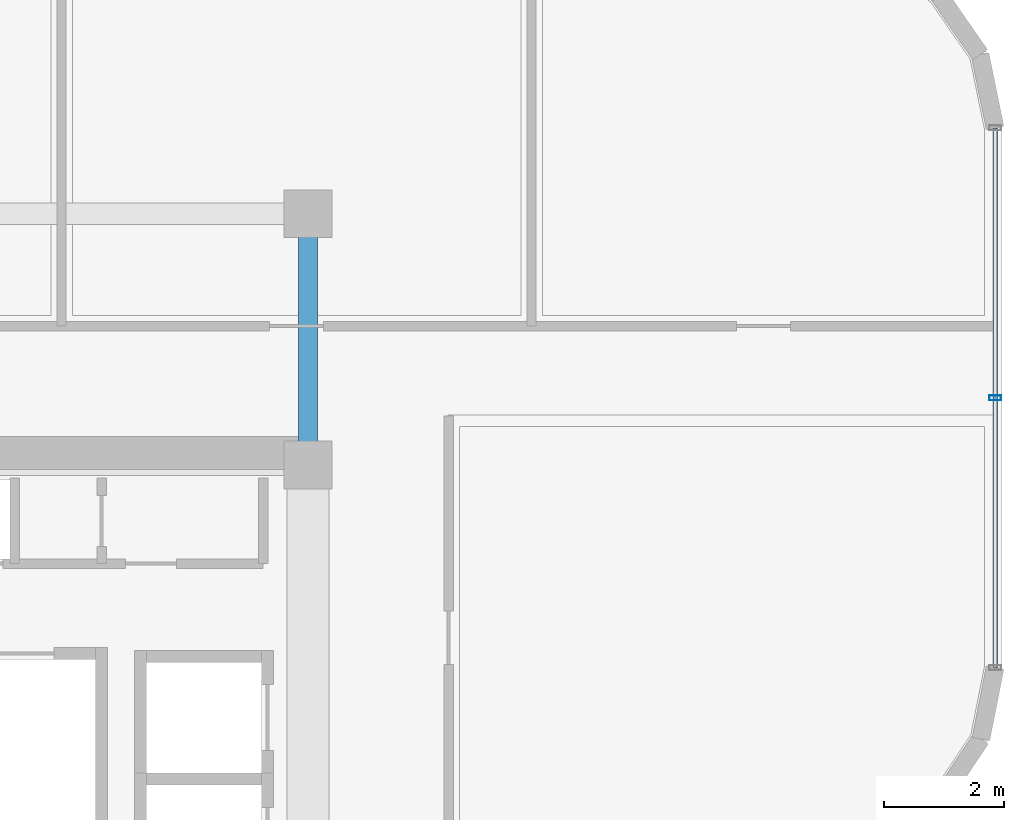
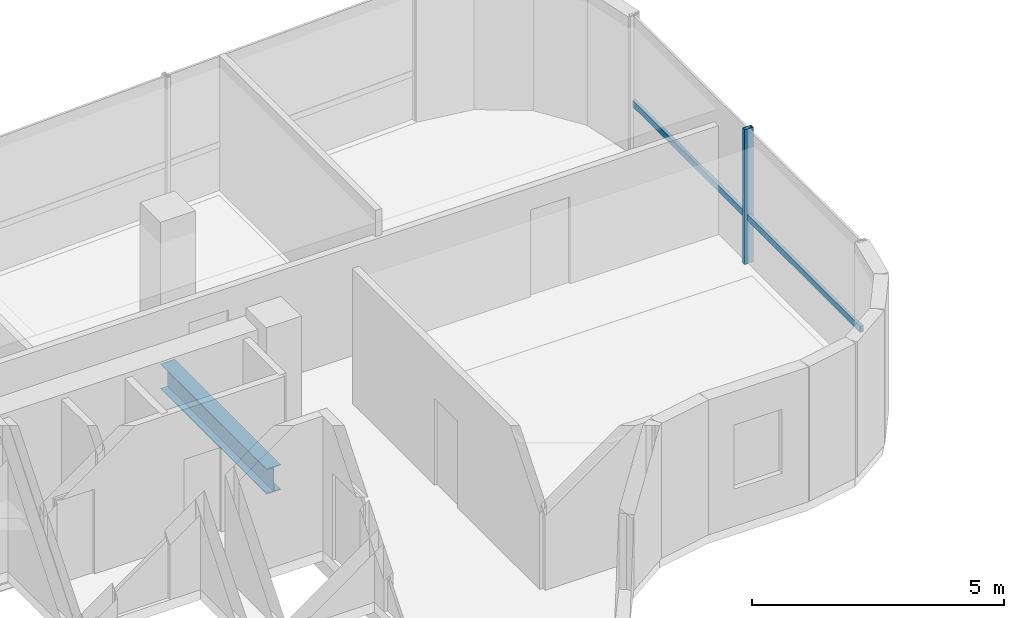
# One storey, part 11 of 21: 2 members, 1 beam, 1 element without a shape of its own.
"""IFC4 building model written with IfcOpenShell, lengths in metres."""

from ifc_helpers import new_model, si_unit, direction, frame, origin, origin_2d, place, context, subcontext, project, spatial, hollow_rectangle, i_section, extrude, source, transform, mapped, material, material_profile, profile_set, type_object, element, aggregate, save


model = new_model("IFC4")

# Units and contexts
model_context = context("Model", 3, precision=1e-05, world=origin(), true_north=direction((0.0, 1.0)))
body_context = subcontext(model_context, "Body", "Model", "MODEL_VIEW")
ifc_project = project(units=[si_unit("LENGTHUNIT", "METRE"), si_unit("AREAUNIT", "SQUARE_METRE"), si_unit("VOLUMEUNIT", "CUBIC_METRE"), si_unit("PLANEANGLEUNIT", "RADIAN"), si_unit("MASSUNIT", "GRAM", prefix="KILO")], contexts=[model_context])

# Site, building, storey
site_placement = place(None, origin())
site = spatial("IfcSite", under=ifc_project, at=site_placement, CompositionType="ELEMENT")
building_placement = place(site_placement, origin())
building = spatial("IfcBuilding", under=site, at=building_placement, Name="Valdorenza Pilgrim Sanctuary Tower", CompositionType="ELEMENT")
storey_placement = place(building_placement, frame((0.0, 0.0, 254.5)))
storey = spatial("IfcBuildingStorey", under=building, at=storey_placement, Name="L66", CompositionType="ELEMENT", Elevation=254.5)

# Beam
ifc_material_1 = material(Name="Steel ASTM A992 Grade 50", Category="steel")
ifc_material_profile_1 = material_profile(ifc_material_1, i_section(OverallWidth=0.323974609375, OverallDepth=0.611083984375, WebThickness=0.0126953125, FlangeThickness=0.01904296875, at=origin_2d()), Name="W24X104")
ifc_profile_set_1 = profile_set([ifc_material_profile_1], Name="Steel ASTM A992 Grade 50")
beam_type = type_object("IfcBeamType", Name="STR-BM-GRD-W24B", PredefinedType="BEAM", material=ifc_profile_set_1)
shared_shape_1 = source(origin(), body_context, "Body", "SweptSolid", [
    extrude(i_section(OverallWidth=0.323974609375, OverallDepth=0.611083984375, WebThickness=0.0126953125, FlangeThickness=0.01904296875, at=origin_2d()), origin(), (0.0, 0.0, 1.0), 4.199951171875),
])
beam_placement = place(storey_placement, frame((-12.39990234375, 10.60009765625, -0.54541015625), z_axis=(0.0, 1.0, 0.0), x_axis=(-1.0, 0.0, 0.0)))
element("IfcBeam", 1, at=beam_placement, inside=storey, type_object=beam_type, Name="L66 Core Tie Girder CA-E-N1N2", PredefinedType="BEAM", context=body_context, shape_type="MappedRepresentation", body=[
    mapped(shared_shape_1, transform((0.0, 0.0, 0.0), x_axis=(1.0, 0.0, 0.0), y_axis=(0.0, 1.0, 0.0), z_axis=(0.0, 0.0, 1.0), scale=1.0)),
])

# Curtain wall, members
ifc_material_2 = material(Name="Curtain-wall IGU glazing", Category="glass")
curtain_wall_type = type_object("IfcCurtainWallType", Name="CW-SYS-02", PredefinedType="NOTDEFINED", material=ifc_material_2)
curtain_wall_placement = place(storey_placement, origin())
curtain_wall = element("IfcCurtainWall", 2, at=curtain_wall_placement, inside=storey, type_object=curtain_wall_type, Name="L66 Curtain Wall CW-L66-1-11", PredefinedType="NOTDEFINED")
ifc_material_3 = material(Name="Anodised aluminium AW-6060", Category="aluminium")
ifc_material_profile_2 = material_profile(ifc_material_3, hollow_rectangle(XDim=0.0849609375, YDim=0.199951171875, WallThickness=0.0048828125, at=origin_2d()), Name="ALU-M 200x85x5")
ifc_profile_set_2 = profile_set([ifc_material_profile_2], Name="Anodised aluminium AW-6060")
member_type_1 = type_object("IfcMemberType", Name="CW-MUL-02", PredefinedType="MULLION", material=ifc_profile_set_2)
shared_shape_2 = source(origin(), body_context, "Body", "SweptSolid", [
    extrude(hollow_rectangle(XDim=0.0849609375, YDim=0.199951171875, WallThickness=0.0048828125, at=origin_2d()), origin(), (0.0, 0.0, 1.0), 3.260009765625),
])
member_1_placement = place(storey_placement, frame((-0.909912109375, 11.72265625, 0.0), z_axis=(0.0, 0.0, 1.0), x_axis=(0.0, -1.0, 0.0)))
member_1 = element("IfcMember", 3, at=member_1_placement, type_object=member_type_1, Name="CW-L66-1-11 Mullion 2", PredefinedType="MULLION", context=body_context, shape_type="MappedRepresentation", body=[
    mapped(shared_shape_2, transform((0.0, 0.0, 0.0), x_axis=(1.0, 0.0, 0.0), y_axis=(0.0, 1.0, 0.0), z_axis=(0.0, 0.0, 1.0), scale=1.0)),
])
ifc_material_profile_3 = material_profile(ifc_material_3, hollow_rectangle(XDim=0.074951171875, YDim=0.14990234375, WallThickness=0.00390625, at=origin_2d()), Name="ALU-T 150x75x4")
ifc_profile_set_3 = profile_set([ifc_material_profile_3], Name="Anodised aluminium AW-6060")
member_type_2 = type_object("IfcMemberType", Name="CW-TRN-02", PredefinedType="USERDEFINED", material=ifc_profile_set_3)
shared_shape_3 = source(origin(), body_context, "Body", "SweptSolid", [
    extrude(hollow_rectangle(XDim=0.074951171875, YDim=0.14990234375, WallThickness=0.00390625, at=origin_2d()), origin(), (0.0, 0.0, 1.0), 9.023681640625),
])
member_2_placement = place(storey_placement, frame((-0.909912109375, 16.234375, 1.1201171875), z_axis=(0.0, -1.0, 0.0), x_axis=(1.0, 0.0, 0.0)))
member_2 = element("IfcMember", 4, at=member_2_placement, type_object=member_type_2, Name="CW-L66-1-11 Transom 1", ObjectType="TRANSOM", PredefinedType="USERDEFINED", context=body_context, shape_type="MappedRepresentation", body=[
    mapped(shared_shape_3, transform((0.0, 0.0, 0.0), x_axis=(1.0, 0.0, 0.0), y_axis=(0.0, 1.0, 0.0), z_axis=(0.0, 0.0, 1.0), scale=1.0)),
])
aggregate(curtain_wall, [member_1, member_2])

save(model, "model.ifc")
